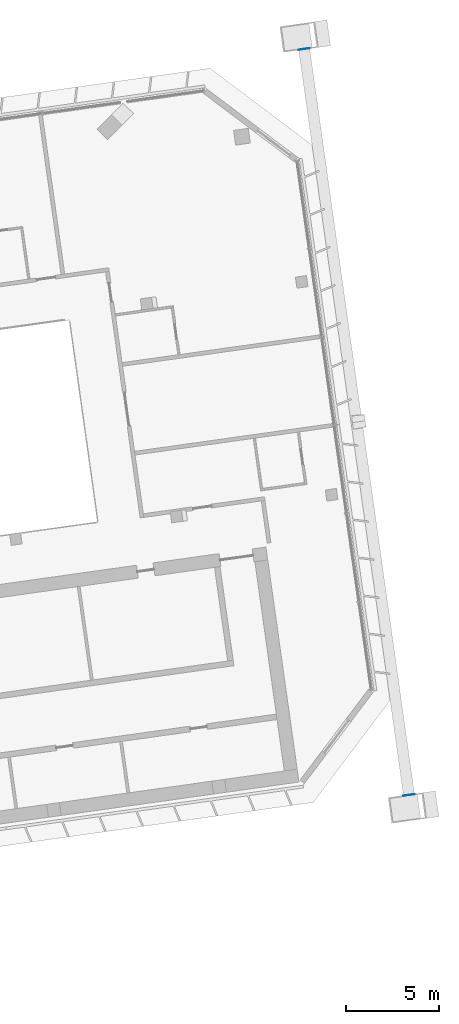
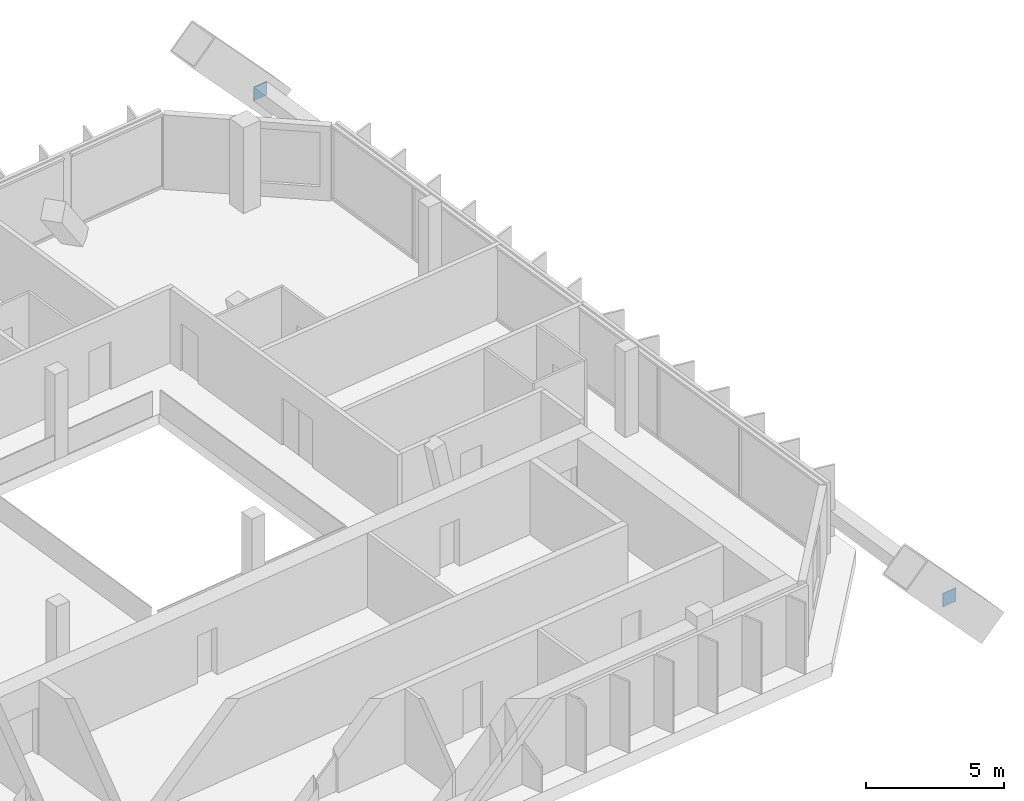
# One storey, part 27 of 29: 2 discrete accessories.
"""IFC4 building model written with IfcOpenShell, lengths in metres."""

from ifc_helpers import new_model, si_unit, direction, frame, origin, origin_2d, place, context, subcontext, project, spatial, rectangle, extrude, material, material_profile, profile_set, type_object, element, save


model = new_model("IFC4")

# Units and contexts
model_context = context("Model", 3, precision=1e-05, world=origin(), true_north=direction((0.0, 1.0)))
body_context = subcontext(model_context, "Body", "Model", "MODEL_VIEW")
ifc_project = project(units=[si_unit("LENGTHUNIT", "METRE"), si_unit("AREAUNIT", "SQUARE_METRE"), si_unit("VOLUMEUNIT", "CUBIC_METRE"), si_unit("PLANEANGLEUNIT", "RADIAN"), si_unit("MASSUNIT", "GRAM", prefix="KILO")], contexts=[model_context])

# Site, building, storey
site_placement = place(None, origin())
site = spatial("IfcSite", under=ifc_project, at=site_placement, CompositionType="ELEMENT")
building_placement = place(site_placement, origin())
building = spatial("IfcBuilding", under=site, at=building_placement, Name="Mirante Cascada Hotel Towers", CompositionType="ELEMENT")
storey_placement = place(building_placement, frame((0.0, 0.0, 206.8)))
storey = spatial("IfcBuildingStorey", under=building, at=storey_placement, Name="L49", CompositionType="ELEMENT", Elevation=206.8)

# Discrete accessories
ifc_material = material(Name="Steel ASTM A572 Gr 50", Category="steel")
ifc_material_profile = material_profile(ifc_material, rectangle(XDim=0.6, YDim=0.6, at=origin_2d()), Name="Connection plate 600x600x25 ASTM A572 Gr 50")
ifc_profile_set = profile_set([ifc_material_profile], Name="Steel ASTM A572 Gr 50")
discrete_accessory_type = type_object("IfcDiscreteAccessoryType", Name="Connection plate 600x600x25 ASTM A572 Gr 50", PredefinedType="BRACKET", material=ifc_profile_set)
for number, where, z_axis, x_axis, name in (
    (1, (87.3753, -14.4687, 1.0), (-0.1402989, 0.9901092, 0.0), (-0.9901092, -0.1402989, 0.0), "Connection plate NCH"),
    (2, (81.7193, 25.7758, 1.0), (-0.1402989, 0.9901092, 0.0), (-0.9901092, -0.1402989, 0.0), "Connection plate NCH"),
):
    element("IfcDiscreteAccessory", number, at=place(storey_placement, frame(where, z_axis=z_axis, x_axis=x_axis)), inside=storey, type_object=discrete_accessory_type, Name=name, PredefinedType="BRACKET", context=body_context, shape_type="SweptSolid", body=[
        extrude(rectangle(XDim=0.6, YDim=0.6, at=origin_2d()), origin(), (0.0, 0.0, 1.0), 0.0249),
    ])

save(model, "model.ifc")
